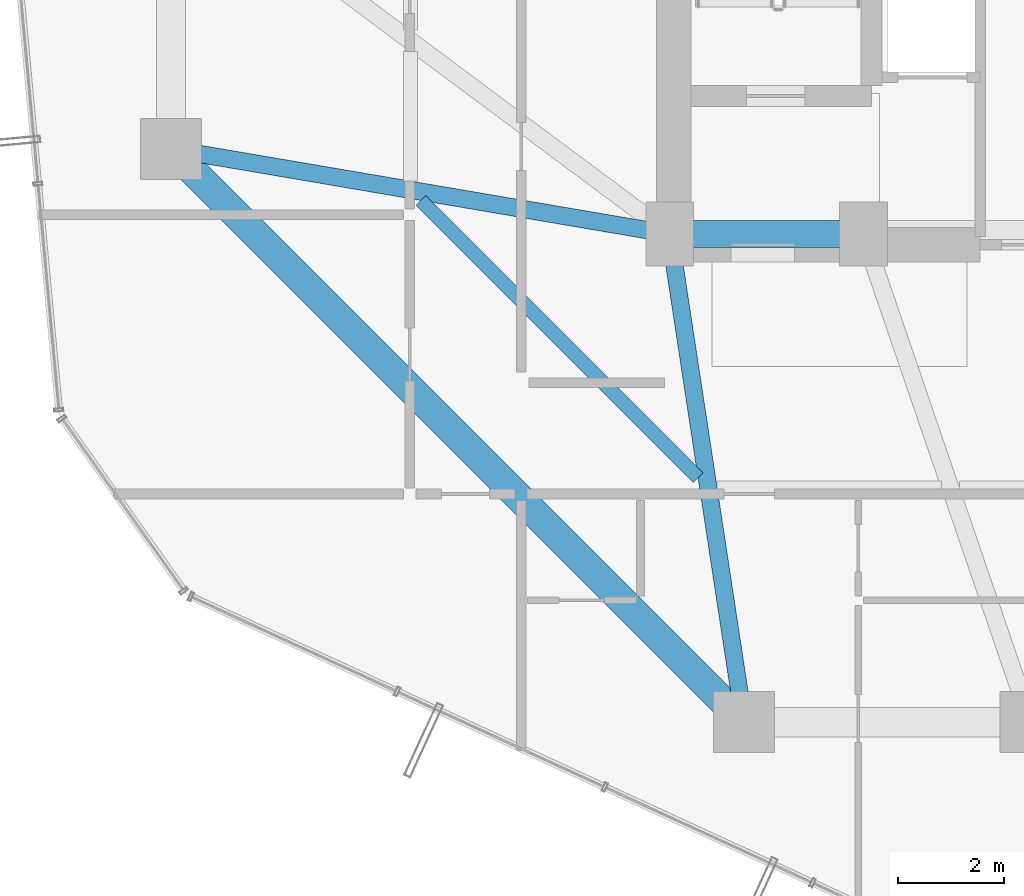
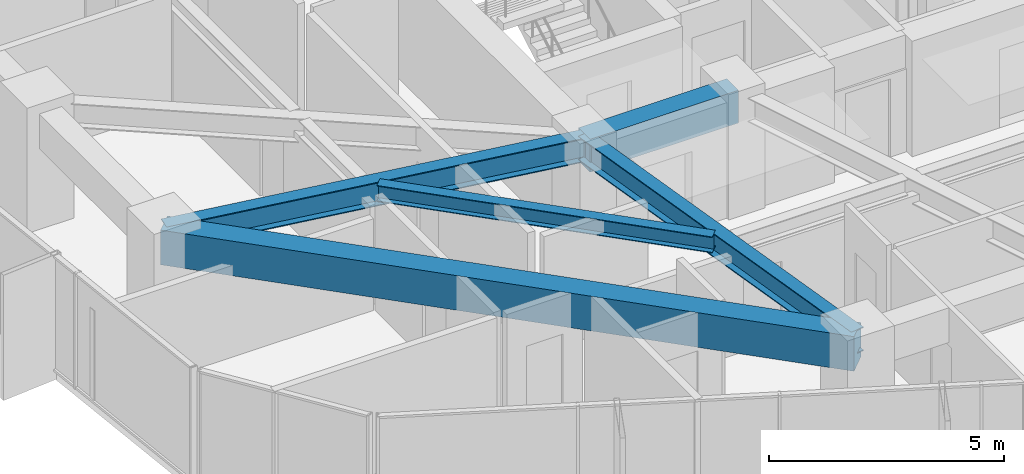
# One storey, part 5 of 33: 5 beams.
"""IFC4 building model written with IfcOpenShell, lengths in metres."""

from ifc_helpers import new_model, si_unit, direction, frame, origin, origin_2d, place, context, subcontext, project, spatial, rectangle, i_section, extrude, material, material_profile, profile_set, type_object, element, save


model = new_model("IFC4")

# Units and contexts
model_context = context("Model", 3, precision=1e-05, world=origin(), true_north=direction((0.0, 1.0)))
body_context = subcontext(model_context, "Body", "Model", "MODEL_VIEW")
ifc_project = project(units=[si_unit("LENGTHUNIT", "METRE"), si_unit("AREAUNIT", "SQUARE_METRE"), si_unit("VOLUMEUNIT", "CUBIC_METRE"), si_unit("PLANEANGLEUNIT", "RADIAN"), si_unit("MASSUNIT", "GRAM", prefix="KILO")], contexts=[model_context])

# Site, building, storey
site_placement = place(None, origin())
site = spatial("IfcSite", under=ifc_project, at=site_placement, CompositionType="ELEMENT")
building_placement = place(site_placement, origin())
building = spatial("IfcBuilding", under=site, at=building_placement, Name="Veraguas Prism Commons", CompositionType="ELEMENT")
storey_placement = place(building_placement, frame((0.0, 0.0, 145.75)))
storey = spatial("IfcBuildingStorey", under=building, at=storey_placement, Name="L41", CompositionType="ELEMENT", Elevation=145.75)

# Beams
ifc_material_1 = material(Name="Concrete C50/60", Category="concrete")
ifc_material_profile_1 = material_profile(ifc_material_1, rectangle(XDim=0.5, YDim=0.85009765625, at=origin_2d()), Name="RC500X850")
ifc_profile_set_1 = profile_set([ifc_material_profile_1], Name="Concrete C50/60")
beam_type_1 = type_object("IfcBeamType", Name="Core Coupling Beam RC 500x850", PredefinedType="BEAM", material=ifc_profile_set_1)
beam_1_placement = place(storey_placement, frame((17.199951171875, 17.0, 2.574951171875), z_axis=(1.0, 0.0, 0.0), x_axis=(0.0, 1.0, 0.0)))
element("IfcBeam", 1, at=beam_1_placement, inside=storey, type_object=beam_type_1, Name="Core Coupling Beam L41-CRS1", PredefinedType="BEAM", context=body_context, shape_type="SweptSolid", body=[
    extrude(rectangle(XDim=0.5, YDim=0.85009765625, at=origin_2d()), origin(), (0.0, 0.0, 1.0), 3.650146484375),
])
ifc_material_2 = material(Name="Steel ASTM A992 Grade 50", Category="steel")
ifc_material_profile_2 = material_profile(ifc_material_2, i_section(OverallWidth=0.260986328125, OverallDepth=0.419921875, WebThickness=0.01171875, FlangeThickness=0.019287109375, at=origin_2d()), Name="W410X114")
ifc_profile_set_2 = profile_set([ifc_material_profile_2], Name="Steel ASTM A992 Grade 50")
beam_type_2 = type_object("IfcBeamType", Name="Lower Floor Joist W410x114", PredefinedType="JOIST", material=ifc_profile_set_2)
beam_2_placement = place(storey_placement, frame((12.510009765625, 17.634033203125, 2.7900390625), z_axis=(0.707090260193, -0.707123301794, 0.0), x_axis=(0.707123301794, 0.707090260193, 0.0)))
element("IfcBeam", 2, at=beam_2_placement, inside=storey, type_object=beam_type_2, Name="Composite Floor Joist L41-JS09", PredefinedType="JOIST", context=body_context, shape_type="SweptSolid", body=[
    extrude(i_section(OverallWidth=0.260986328125, OverallDepth=0.419921875, WebThickness=0.01171875, FlangeThickness=0.019287109375, at=origin_2d()), origin(), (0.0, 0.0, 1.0), 7.388916015625),
])
ifc_material_profile_3 = material_profile(ifc_material_1, rectangle(XDim=0.550048828125, YDim=0.89990234375, at=origin_2d()), Name="RC550X900")
ifc_profile_set_3 = profile_set([ifc_material_profile_3], Name="Concrete C50/60")
beam_type_3 = type_object("IfcBeamType", Name="Perimeter Spandrel Lower RC 550x900", PredefinedType="SPANDREL", material=ifc_profile_set_3)
beam_3_placement = place(storey_placement, frame((7.800048828125, 18.60009765625, 2.550048828125), z_axis=(0.707106781187, -0.707106781187, 0.0), x_axis=(0.707106781187, 0.707106781187, 0.0)))
element("IfcBeam", 3, at=beam_3_placement, inside=storey, type_object=beam_type_3, Name="Perimeter Spandrel Beam L41-SP09", PredefinedType="SPANDREL", context=body_context, shape_type="SweptSolid", body=[
    extrude(rectangle(XDim=0.550048828125, YDim=0.89990234375, at=origin_2d()), origin(), (0.0, 0.0, 1.0), 15.273681640625),
])
ifc_material_profile_4 = material_profile(ifc_material_2, i_section(OverallWidth=0.327880859375, OverallDepth=0.6220703125, WebThickness=0.015380859375, FlangeThickness=0.0244140625, at=origin_2d()), Name="W610X195")
ifc_profile_set_4 = profile_set([ifc_material_profile_4], Name="Steel ASTM A992 Grade 50")
beam_type_4 = type_object("IfcBeamType", Name="Zone 2 Radial Girder W610x195", PredefinedType="BEAM", material=ifc_profile_set_4)
beam_4_placement = place(storey_placement, frame((7.800048828125, 18.60009765625, 2.68896484375), z_axis=(0.985819187151, -0.1678109956, 0.0), x_axis=(0.1678109956, 0.985819187151, 0.0)))
element("IfcBeam", 4, at=beam_4_placement, inside=storey, type_object=beam_type_4, Name="Radial Floor Girder L41-RD09", PredefinedType="BEAM", context=body_context, shape_type="SweptSolid", body=[
    extrude(i_section(OverallWidth=0.327880859375, OverallDepth=0.6220703125, WebThickness=0.015380859375, FlangeThickness=0.0244140625, at=origin_2d()), origin(), (0.0, 0.0, 1.0), 9.53515625),
])
beam_5_placement = place(storey_placement, frame((18.60009765625, 7.800048828125, 2.68896484375), z_axis=(-0.150458162136, 0.98861637729, 0.0), x_axis=(-0.98861637729, -0.150458162136, 0.0)))
element("IfcBeam", 5, at=beam_5_placement, inside=storey, type_object=beam_type_4, Name="Radial Floor Girder L41-RD10", PredefinedType="BEAM", context=body_context, shape_type="SweptSolid", body=[
    extrude(i_section(OverallWidth=0.327880859375, OverallDepth=0.6220703125, WebThickness=0.015380859375, FlangeThickness=0.0244140625, at=origin_2d()), origin(), (0.0, 0.0, 1.0), 9.305908203125),
])

save(model, "model.ifc")
